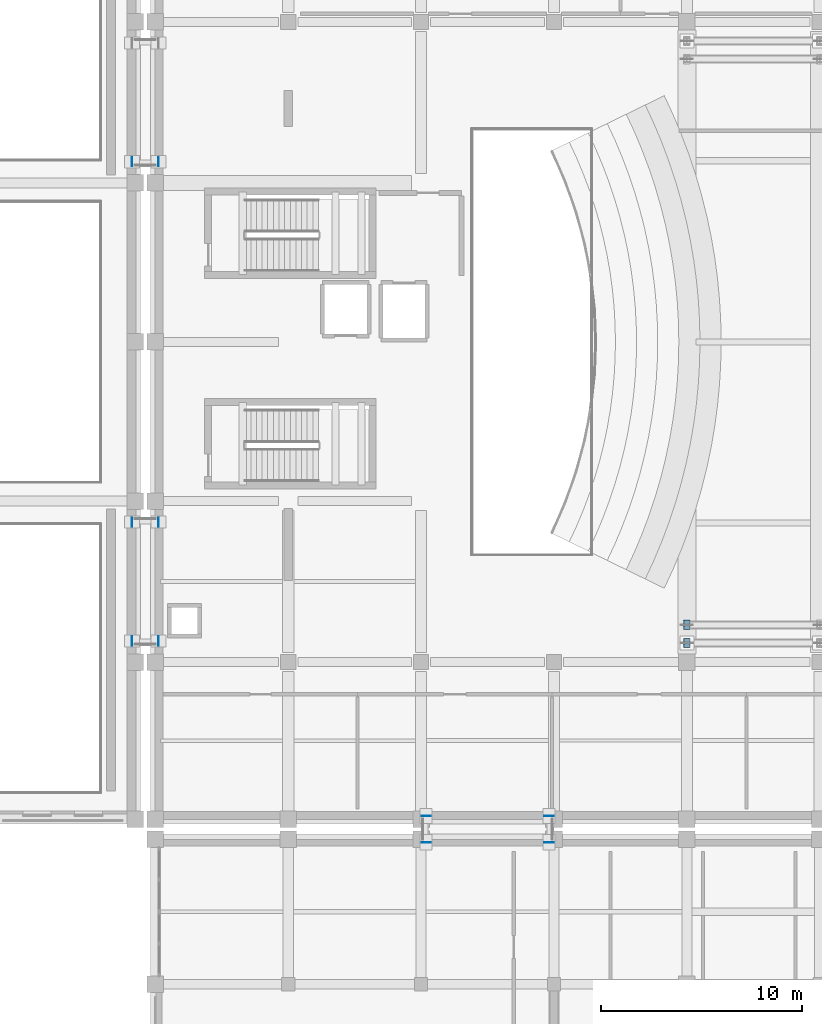
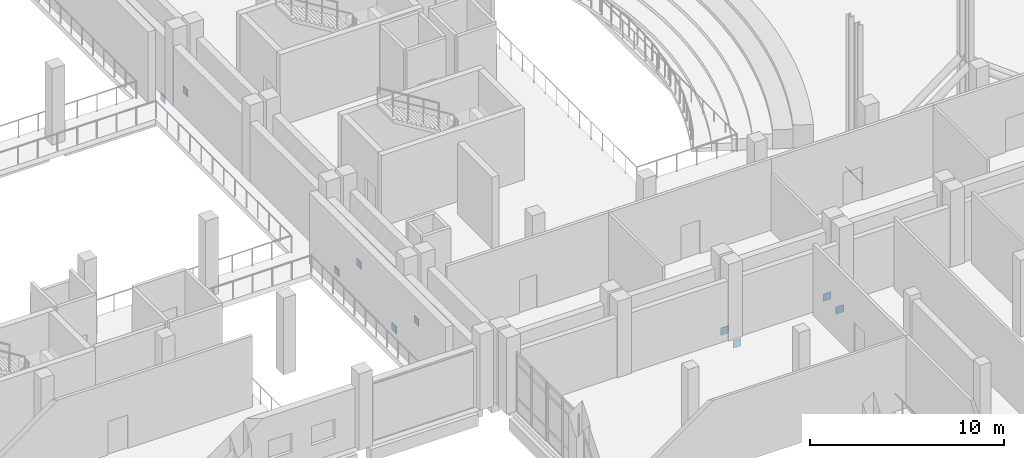
# One storey, part 58 of 73: 12 discrete accessories.
"""IFC4 building model written with IfcOpenShell, lengths in metres."""

import ifcopenshell
import ifcopenshell.guid

model = None  # the IFC model being written
_history = None  # IfcOwnerHistory: only IFC2X3 demands one
_inside = {}  # id of a spatial element -> (the spatial element, [elements in it])
_under = {}  # id of a project, library or spatial element -> (it, [spatial elements below it])
_declared = {}  # id of a project -> (the project, [libraries it declares])
_typed = {}  # id of a type object -> (the type object, [elements of that type])
_made_of = {}  # id of a material, layer set ... -> (it, [elements and type objects made of it])


def new_model(schema):
    """Start an empty IFC model of exactly this schema.

    Asked for "IFC4X3", IfcOpenShell would pick the latest addendum, in which some entities
    have other attributes; the version numbers below select the first issue.
    IFC2X3 requires an IfcOwnerHistory on every rooted entity: one is made here for all.
    """
    global model, _history
    if schema == "IFC4X3":
        model = ifcopenshell.file(schema_version=(4, 3, 0, 0))
    else:
        model = ifcopenshell.file(schema=schema)
    _inside.clear()
    _under.clear()
    _declared.clear()
    _typed.clear()
    _made_of.clear()
    _history = None
    if model.schema == "IFC2X3":
        org = make("IfcOrganization", Name="unknown")
        user = make(
            "IfcPersonAndOrganization",
            ThePerson=make("IfcPerson", FamilyName="unknown"),
            TheOrganization=org,
        )
        app = make(
            "IfcApplication",
            ApplicationDeveloper=org,
            Version="unknown",
            ApplicationFullName="unknown",
            ApplicationIdentifier="unknown",
        )
        _history = make(
            "IfcOwnerHistory",
            OwningUser=user,
            OwningApplication=app,
            ChangeAction="ADDED",
            CreationDate=0,
        )
    return model


def make(cls, **values):
    """One entity of the class cls with the attributes given. An attribute that is None is left unset."""
    return model.create_entity(
        cls, **{name: value for name, value in values.items() if value is not None}
    )


def rooted(cls, **values):
    """An entity with a GlobalId (a new one), such as an element, a storey or a relation."""
    return make(cls, GlobalId=ifcopenshell.guid.new(), OwnerHistory=_history, **values)


def si_unit(unit_type, name, prefix=None):
    """IfcSIUnit, for example si_unit("LENGTHUNIT", "METRE", prefix="MILLI")."""
    return make("IfcSIUnit", UnitType=unit_type, Prefix=prefix, Name=name)


def assignment(units):
    """IfcUnitAssignment: the units of a project."""
    return None if units is None else make("IfcUnitAssignment", Units=units)


def point(xyz):
    """IfcCartesianPoint."""
    return None if xyz is None else make("IfcCartesianPoint", Coordinates=xyz)


def direction(xyz):
    """IfcDirection."""
    return None if xyz is None else make("IfcDirection", DirectionRatios=xyz)


def frame(location, z_axis=None, x_axis=None):
    """IfcAxis2Placement3D, a coordinate frame: its origin and axes. An axis left out is left unset."""
    return make(
        "IfcAxis2Placement3D",
        Location=point(location),
        Axis=direction(z_axis),
        RefDirection=direction(x_axis),
    )


def frame_2d(location, x_axis=None):
    """IfcAxis2Placement2D, a coordinate frame in the plane: its origin and x axis."""
    return make(
        "IfcAxis2Placement2D", Location=point(location), RefDirection=direction(x_axis)
    )


def origin():
    """The frame at (0, 0, 0) with its axes left unset."""
    return frame((0.0, 0.0, 0.0))


def origin_2d():
    """The frame at (0, 0) in the plane with its x axis left unset."""
    return frame_2d((0.0, 0.0))


def place(relative_to, where):
    """IfcLocalPlacement: puts the frame where relative to a parent placement (None: the world)."""
    return make(
        "IfcLocalPlacement", PlacementRelTo=relative_to, RelativePlacement=where
    )


def context(
    kind, dimensions, precision=None, world=None, true_north=None, identifier=None
):
    """IfcGeometricRepresentationContext, for example the 3D "Model" context."""
    return make(
        "IfcGeometricRepresentationContext",
        ContextIdentifier=identifier,
        ContextType=kind,
        CoordinateSpaceDimension=dimensions,
        Precision=precision,
        WorldCoordinateSystem=world,
        TrueNorth=true_north,
    )


def subcontext(parent, identifier, kind, view, scale=None):
    """IfcGeometricRepresentationSubContext, for example "Body" below "Model"."""
    return make(
        "IfcGeometricRepresentationSubContext",
        ContextIdentifier=identifier,
        ContextType=kind,
        ParentContext=parent,
        TargetScale=scale,
        TargetView=view,
    )


def project(units=None, contexts=None):
    """IfcProject with its units and contexts."""
    return rooted(
        "IfcProject",
        Name="project",
        RepresentationContexts=contexts,
        UnitsInContext=assignment(units),
    )


def spatial(cls, under=None, at=None, **own):
    """A site, building, storey or space (cls), placed at a placement, below another one or the project."""
    s = rooted(cls, ObjectPlacement=at, **own)
    if under is not None:
        _under.setdefault(under.id(), (under, []))[1].append(s)
    return s


def profile(cls, at=None, kind="AREA", **sizes):
    """A parametric profile (cls). Its sizes go by their IFC names, for example OverallWidth=200.0."""
    return make(cls, ProfileType=kind, Position=at, **sizes)


def rectangle(**sizes):
    """IfcRectangleProfileDef."""
    return profile("IfcRectangleProfileDef", **sizes)


def extrude(swept, where, along, depth):
    """IfcExtrudedAreaSolid: the profile swept, set in the frame where, extruded along a direction by depth."""
    return make(
        "IfcExtrudedAreaSolid",
        SweptArea=swept,
        Position=where,
        ExtrudedDirection=direction(along),
        Depth=depth,
    )


def shape(context_of_items, identifier, shape_type, items):
    """IfcShapeRepresentation: the items that make up one representation, for example the "Body"."""
    return make(
        "IfcShapeRepresentation",
        ContextOfItems=context_of_items,
        RepresentationIdentifier=identifier,
        RepresentationType=shape_type,
        Items=items,
    )


def material(Name=None, Category=None):
    """IfcMaterial."""
    return make("IfcMaterial", Name=Name, Category=Category)


def material_profile(
    of_material, cross_section, Name=None, Category=None, Priority=None
):
    """IfcMaterialProfile: a cross section and its material."""
    return make(
        "IfcMaterialProfile",
        Name=Name,
        Material=of_material,
        Profile=cross_section,
        Priority=Priority,
        Category=Category,
    )


def profile_set(profiles, Name=None, composite=None):
    """IfcMaterialProfileSet."""
    return make(
        "IfcMaterialProfileSet",
        Name=Name,
        MaterialProfiles=profiles,
        CompositeProfile=composite,
    )


def made_of(thing, what):
    """Note that an element or type object is made of a material, layer set ...; save() writes the relation."""
    if what is not None:
        _made_of.setdefault(what.id(), (what, []))[1].append(thing)
    return thing


def type_object(cls, material=None, **own):
    """A type object (cls), such as IfcWallType, which elements share."""
    return made_of(rooted(cls, **own), material)


def element(
    cls,
    number,
    at=None,
    inside=None,
    cuts=None,
    type_object=None,
    material=None,
    context=None,
    identifier="Body",
    shape_type=None,
    held_by="IfcProductDefinitionShape",
    body=None,
    shapes=None,
    **own,
):
    """One element of the class cls, such as IfcWall. Its Tag is "e" and its number.

    at: its placement. inside: the storey or other place that contains it. cuts: it is an
    opening in that element (IfcRelVoidsElement). A single representation is given by context,
    identifier, shape_type and body (its items); several are given by shapes. held_by: the class
    of the entity that holds the representations. save() writes the other relations.
    """
    e = rooted(cls, Tag="e%d" % number, ObjectPlacement=at, **own)
    if body is not None:
        shapes = [shape(context, identifier, shape_type, body)]
    if shapes is not None:
        e.Representation = make(held_by, Representations=shapes)
    if inside is not None:
        _inside.setdefault(inside.id(), (inside, []))[1].append(e)
    if cuts is not None:
        rooted(
            "IfcRelVoidsElement", RelatingBuildingElement=cuts, RelatedOpeningElement=e
        )
    if type_object is not None:
        _typed.setdefault(type_object.id(), (type_object, []))[1].append(e)
    return made_of(e, material)


def aggregate(whole, parts):
    """IfcRelAggregates: a whole, such as a stair, and the parts it consists of."""
    return rooted("IfcRelAggregates", RelatingObject=whole, RelatedObjects=parts)


def save(model, path):
    """Write the relations noted so far, then the file.

    IfcRelAggregates (storeys below a building ...), IfcRelContainedInSpatialStructure (elements
    in a storey), IfcRelDefinesByType, IfcRelAssociatesMaterial and IfcRelDeclares: one each for
    every whole, place, type object, material and project.
    """
    for whole, parts in _under.values():
        aggregate(whole, parts)
    for where, things in _inside.values():
        rooted(
            "IfcRelContainedInSpatialStructure",
            RelatedElements=things,
            RelatingStructure=where,
        )
    for kind, things in _typed.values():
        rooted("IfcRelDefinesByType", RelatedObjects=things, RelatingType=kind)
    for what, things in _made_of.values():
        rooted("IfcRelAssociatesMaterial", RelatedObjects=things, RelatingMaterial=what)
    for by, libraries in _declared.values():
        rooted("IfcRelDeclares", RelatingContext=by, RelatedDefinitions=libraries)
    model.write(path)


model = new_model("IFC4")

# Units and contexts
model_context = context("Model", 3, precision=1e-05, world=origin(), true_north=direction((0.0, 1.0)))
body_context = subcontext(model_context, "Body", "Model", "MODEL_VIEW")
ifc_project = project(units=[si_unit("LENGTHUNIT", "METRE"), si_unit("AREAUNIT", "SQUARE_METRE"), si_unit("VOLUMEUNIT", "CUBIC_METRE"), si_unit("PLANEANGLEUNIT", "RADIAN"), si_unit("MASSUNIT", "GRAM", prefix="KILO")], contexts=[model_context])

# Site, building, storey
site_placement = place(None, origin())
site = spatial("IfcSite", under=ifc_project, at=site_placement, CompositionType="ELEMENT")
building_placement = place(site_placement, origin())
building = spatial("IfcBuilding", under=site, at=building_placement, Name="Kelarvand Opera House", CompositionType="ELEMENT")
storey_placement = place(building_placement, frame((0.0, 0.0, 10.199951171875)))
storey = spatial("IfcBuildingStorey", under=building, at=storey_placement, Name="L02", CompositionType="ELEMENT", Elevation=10.199951171875)

# Discrete accessories
ifc_material = material(Name="Steel S355", Category="steel")
ifc_material_profile_1 = material_profile(ifc_material, rectangle(XDim=0.4599609375, YDim=0.4599609375, at=origin_2d()), Name="Welded Steel Hollow End-Cap Plate 460x460x24", Category="steel")
ifc_profile_set_1 = profile_set([ifc_material_profile_1], Name="Steel S355")
discrete_accessory_type_1 = type_object("IfcDiscreteAccessoryType", Name="Welded Steel Hollow End-Cap Plate 460x460x24", PredefinedType="SHOE", material=ifc_profile_set_1)
for number, where, z_axis, x_axis, name in (
    (1, (87.85791015625, 71.449951171875, -0.52001953125), (-1.0, 0.0, 0.0), (0.0, -1.0, 0.0), "Hollow Section Welded End Cap 41"),
    (2, (89.14208984375, 71.449951171875, -0.52001953125), (1.0, 0.0, 0.0), (0.0, 1.0, 0.0), "Hollow Section Welded End Cap 42"),
    (3, (87.85791015625, 47.64990234375, -0.52001953125), (-1.0, 0.0, 0.0), (0.0, -1.0, 0.0), "Hollow Section Welded End Cap 65"),
    (4, (89.14208984375, 47.64990234375, -0.52001953125), (1.0, 0.0, 0.0), (0.0, 1.0, 0.0), "Hollow Section Welded End Cap 66"),
    (5, (87.85791015625, 53.550048828125, -0.52001953125), (-1.0, 0.0, 0.0), (0.0, -1.0, 0.0), "Hollow Section Welded End Cap 67"),
    (6, (89.14208984375, 53.550048828125, -0.52001953125), (1.0, 0.0, 0.0), (0.0, 1.0, 0.0), "Hollow Section Welded End Cap 68"),
    (7, (102.449951171875, 37.657958984375, -0.52001953125), (0.0, -1.0, 0.0), (1.0, 0.0, 0.0), "Hollow Section Welded End Cap 101"),
):
    element("IfcDiscreteAccessory", number, at=place(storey_placement, frame(where, z_axis=z_axis, x_axis=x_axis)), inside=storey, type_object=discrete_accessory_type_1, Name=name, PredefinedType="SHOE", context=body_context, shape_type="SweptSolid", body=[
        extrude(rectangle(XDim=0.4599609375, YDim=0.4599609375, at=origin_2d()), origin(), (0.0, 0.0, 1.0), 0.035888671875),
    ])
discrete_accessory_1_placement = place(storey_placement, frame((102.449951171875, 38.94189453125, -0.52001953125), z_axis=(0.0, 1.0, 0.0), x_axis=(-1.0, 0.0, 0.0)))
element("IfcDiscreteAccessory", 8, at=discrete_accessory_1_placement, inside=storey, type_object=discrete_accessory_type_1, Name="Hollow Section Welded End Cap 102", PredefinedType="SHOE", context=body_context, shape_type="SweptSolid", body=[
    extrude(rectangle(XDim=0.4599609375, YDim=0.4599609375, at=origin_2d()), origin(), (0.0, 0.0, 1.0), 0.0361328125),
])
discrete_accessory_2_placement = place(storey_placement, frame((108.550048828125, 37.657958984375, -0.52001953125), z_axis=(0.0, -1.0, 0.0), x_axis=(1.0, 0.0, 0.0)))
element("IfcDiscreteAccessory", 9, at=discrete_accessory_2_placement, inside=storey, type_object=discrete_accessory_type_1, Name="Hollow Section Welded End Cap 103", PredefinedType="SHOE", context=body_context, shape_type="SweptSolid", body=[
    extrude(rectangle(XDim=0.4599609375, YDim=0.4599609375, at=origin_2d()), origin(), (0.0, 0.0, 1.0), 0.035888671875),
])
discrete_accessory_3_placement = place(storey_placement, frame((108.550048828125, 38.94189453125, -0.52001953125), z_axis=(0.0, 1.0, 0.0), x_axis=(-1.0, 0.0, 0.0)))
element("IfcDiscreteAccessory", 10, at=discrete_accessory_3_placement, inside=storey, type_object=discrete_accessory_type_1, Name="Hollow Section Welded End Cap 104", PredefinedType="SHOE", context=body_context, shape_type="SweptSolid", body=[
    extrude(rectangle(XDim=0.4599609375, YDim=0.4599609375, at=origin_2d()), origin(), (0.0, 0.0, 1.0), 0.0361328125),
])
ifc_material_profile_2 = material_profile(ifc_material, rectangle(XDim=0.466064453125, YDim=0.466064453125, at=origin_2d()), Name="Welded Steel Hollow End-Cap Plate 466x466x24", Category="steel")
ifc_profile_set_2 = profile_set([ifc_material_profile_2], Name="Steel S355")
discrete_accessory_type_2 = type_object("IfcDiscreteAccessoryType", Name="Welded Steel Hollow End-Cap Plate 466x466x24", PredefinedType="SHOE", material=ifc_profile_set_2)
for number, where, z_axis, x_axis, name in (
    (11, (115.406494140625, 47.550048828125, -0.76513671875), (-0.804035700636, 0.0, -0.594581022319), (0.0, -1.0, 0.0), "Hollow Section Welded End Cap 117"),
    (12, (115.406494140625, 48.449951171875, -0.76513671875), (-0.804035700636, 0.0, -0.594581022319), (0.0, -1.0, 0.0), "Hollow Section Welded End Cap 141"),
):
    element("IfcDiscreteAccessory", number, at=place(storey_placement, frame(where, z_axis=z_axis, x_axis=x_axis)), inside=storey, type_object=discrete_accessory_type_2, Name=name, PredefinedType="SHOE", context=body_context, shape_type="SweptSolid", body=[
        extrude(rectangle(XDim=0.466064453125, YDim=0.466064453125, at=origin_2d()), origin(), (0.0, 0.0, 1.0), 0.0361328125),
    ])

save(model, "model.ifc")
